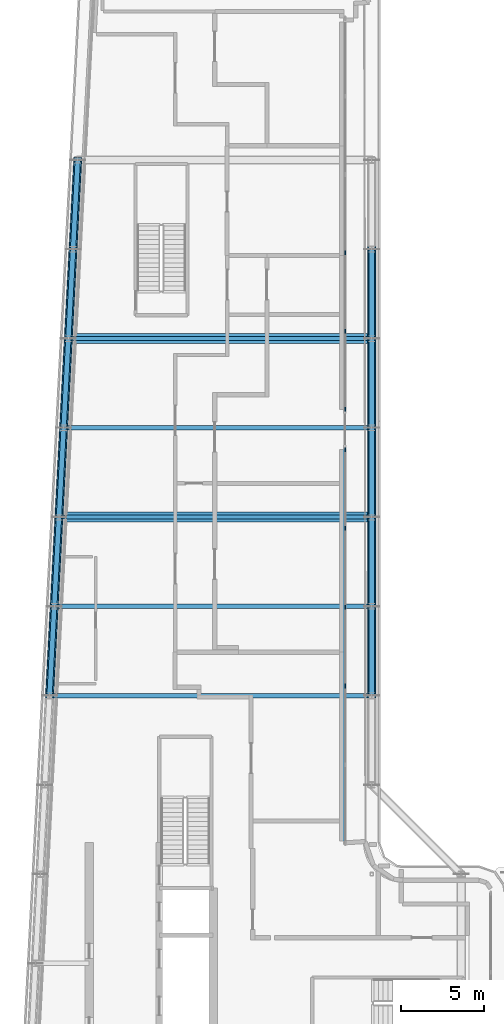
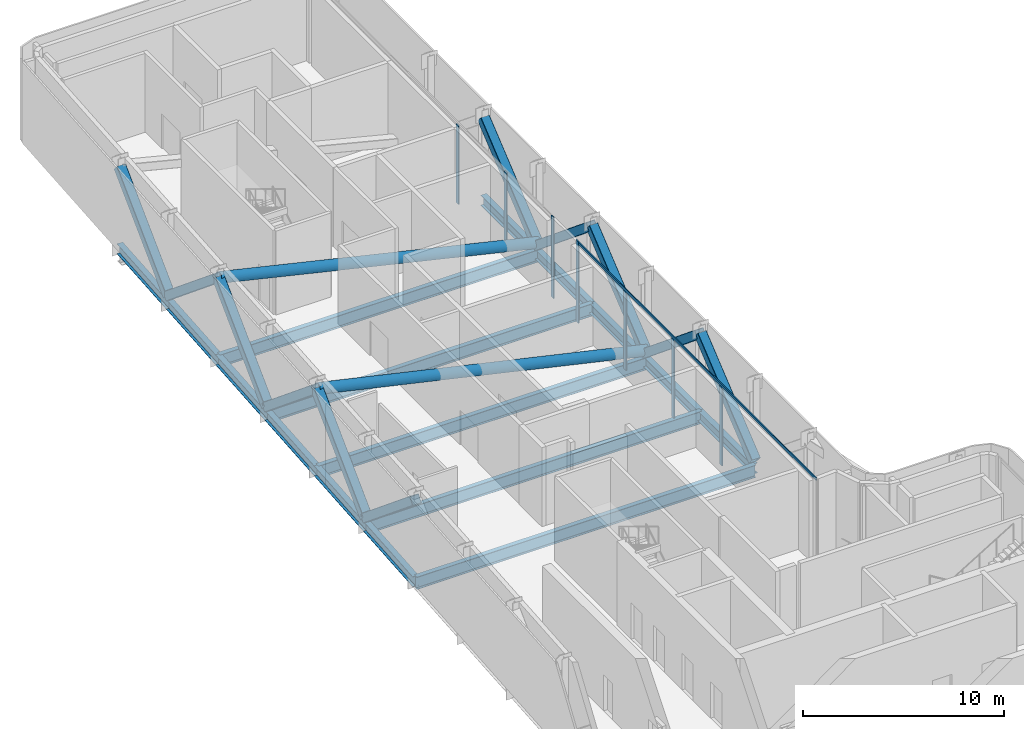
# One storey, part 5 of 18: 21 members, 16 beams, 2 elements without a shape of their own.
"""IFC4 building model written with IfcOpenShell, lengths in metres."""

import ifcopenshell
import ifcopenshell.guid

model = None  # the IFC model being written
_history = None  # IfcOwnerHistory: only IFC2X3 demands one
_inside = {}  # id of a spatial element -> (the spatial element, [elements in it])
_under = {}  # id of a project, library or spatial element -> (it, [spatial elements below it])
_declared = {}  # id of a project -> (the project, [libraries it declares])
_typed = {}  # id of a type object -> (the type object, [elements of that type])
_made_of = {}  # id of a material, layer set ... -> (it, [elements and type objects made of it])


def new_model(schema):
    """Start an empty IFC model of exactly this schema.

    Asked for "IFC4X3", IfcOpenShell would pick the latest addendum, in which some entities
    have other attributes; the version numbers below select the first issue.
    IFC2X3 requires an IfcOwnerHistory on every rooted entity: one is made here for all.
    """
    global model, _history
    if schema == "IFC4X3":
        model = ifcopenshell.file(schema_version=(4, 3, 0, 0))
    else:
        model = ifcopenshell.file(schema=schema)
    _inside.clear()
    _under.clear()
    _declared.clear()
    _typed.clear()
    _made_of.clear()
    _history = None
    if model.schema == "IFC2X3":
        org = make("IfcOrganization", Name="unknown")
        user = make(
            "IfcPersonAndOrganization",
            ThePerson=make("IfcPerson", FamilyName="unknown"),
            TheOrganization=org,
        )
        app = make(
            "IfcApplication",
            ApplicationDeveloper=org,
            Version="unknown",
            ApplicationFullName="unknown",
            ApplicationIdentifier="unknown",
        )
        _history = make(
            "IfcOwnerHistory",
            OwningUser=user,
            OwningApplication=app,
            ChangeAction="ADDED",
            CreationDate=0,
        )
    return model


def make(cls, **values):
    """One entity of the class cls with the attributes given. An attribute that is None is left unset."""
    return model.create_entity(
        cls, **{name: value for name, value in values.items() if value is not None}
    )


def rooted(cls, **values):
    """An entity with a GlobalId (a new one), such as an element, a storey or a relation."""
    return make(cls, GlobalId=ifcopenshell.guid.new(), OwnerHistory=_history, **values)


def si_unit(unit_type, name, prefix=None):
    """IfcSIUnit, for example si_unit("LENGTHUNIT", "METRE", prefix="MILLI")."""
    return make("IfcSIUnit", UnitType=unit_type, Prefix=prefix, Name=name)


def assignment(units):
    """IfcUnitAssignment: the units of a project."""
    return None if units is None else make("IfcUnitAssignment", Units=units)


def point(xyz):
    """IfcCartesianPoint."""
    return None if xyz is None else make("IfcCartesianPoint", Coordinates=xyz)


def direction(xyz):
    """IfcDirection."""
    return None if xyz is None else make("IfcDirection", DirectionRatios=xyz)


def frame(location, z_axis=None, x_axis=None):
    """IfcAxis2Placement3D, a coordinate frame: its origin and axes. An axis left out is left unset."""
    return make(
        "IfcAxis2Placement3D",
        Location=point(location),
        Axis=direction(z_axis),
        RefDirection=direction(x_axis),
    )


def frame_2d(location, x_axis=None):
    """IfcAxis2Placement2D, a coordinate frame in the plane: its origin and x axis."""
    return make(
        "IfcAxis2Placement2D", Location=point(location), RefDirection=direction(x_axis)
    )


def origin():
    """The frame at (0, 0, 0) with its axes left unset."""
    return frame((0.0, 0.0, 0.0))


def origin_2d():
    """The frame at (0, 0) in the plane with its x axis left unset."""
    return frame_2d((0.0, 0.0))


def place(relative_to, where):
    """IfcLocalPlacement: puts the frame where relative to a parent placement (None: the world)."""
    return make(
        "IfcLocalPlacement", PlacementRelTo=relative_to, RelativePlacement=where
    )


def context(
    kind, dimensions, precision=None, world=None, true_north=None, identifier=None
):
    """IfcGeometricRepresentationContext, for example the 3D "Model" context."""
    return make(
        "IfcGeometricRepresentationContext",
        ContextIdentifier=identifier,
        ContextType=kind,
        CoordinateSpaceDimension=dimensions,
        Precision=precision,
        WorldCoordinateSystem=world,
        TrueNorth=true_north,
    )


def subcontext(parent, identifier, kind, view, scale=None):
    """IfcGeometricRepresentationSubContext, for example "Body" below "Model"."""
    return make(
        "IfcGeometricRepresentationSubContext",
        ContextIdentifier=identifier,
        ContextType=kind,
        ParentContext=parent,
        TargetScale=scale,
        TargetView=view,
    )


def project(units=None, contexts=None):
    """IfcProject with its units and contexts."""
    return rooted(
        "IfcProject",
        Name="project",
        RepresentationContexts=contexts,
        UnitsInContext=assignment(units),
    )


def spatial(cls, under=None, at=None, **own):
    """A site, building, storey or space (cls), placed at a placement, below another one or the project."""
    s = rooted(cls, ObjectPlacement=at, **own)
    if under is not None:
        _under.setdefault(under.id(), (under, []))[1].append(s)
    return s


def profile(cls, at=None, kind="AREA", **sizes):
    """A parametric profile (cls). Its sizes go by their IFC names, for example OverallWidth=200.0."""
    return make(cls, ProfileType=kind, Position=at, **sizes)


def rectangle(**sizes):
    """IfcRectangleProfileDef."""
    return profile("IfcRectangleProfileDef", **sizes)


def hollow_rectangle(**sizes):
    """IfcRectangleHollowProfileDef."""
    return profile("IfcRectangleHollowProfileDef", **sizes)


def hollow_circle(**sizes):
    """IfcCircleHollowProfileDef."""
    return profile("IfcCircleHollowProfileDef", **sizes)


def i_section(**sizes):
    """IfcIShapeProfileDef."""
    return profile("IfcIShapeProfileDef", **sizes)


def extrude(swept, where, along, depth):
    """IfcExtrudedAreaSolid: the profile swept, set in the frame where, extruded along a direction by depth."""
    return make(
        "IfcExtrudedAreaSolid",
        SweptArea=swept,
        Position=where,
        ExtrudedDirection=direction(along),
        Depth=depth,
    )


def shape(context_of_items, identifier, shape_type, items):
    """IfcShapeRepresentation: the items that make up one representation, for example the "Body"."""
    return make(
        "IfcShapeRepresentation",
        ContextOfItems=context_of_items,
        RepresentationIdentifier=identifier,
        RepresentationType=shape_type,
        Items=items,
    )


def material(Name=None, Category=None):
    """IfcMaterial."""
    return make("IfcMaterial", Name=Name, Category=Category)


def layer(
    of_material, thickness, ventilated=None, Name=None, Category=None, Priority=None
):
    """IfcMaterialLayer: one layer of a wall or slab, of a material (None: an air gap)."""
    return make(
        "IfcMaterialLayer",
        Material=of_material,
        LayerThickness=thickness,
        IsVentilated=ventilated,
        Name=Name,
        Category=Category,
        Priority=Priority,
    )


def layer_set(layers, Name=None):
    """IfcMaterialLayerSet."""
    return make("IfcMaterialLayerSet", MaterialLayers=layers, LayerSetName=Name)


def material_profile(
    of_material, cross_section, Name=None, Category=None, Priority=None
):
    """IfcMaterialProfile: a cross section and its material."""
    return make(
        "IfcMaterialProfile",
        Name=Name,
        Material=of_material,
        Profile=cross_section,
        Priority=Priority,
        Category=Category,
    )


def profile_set(profiles, Name=None, composite=None):
    """IfcMaterialProfileSet."""
    return make(
        "IfcMaterialProfileSet",
        Name=Name,
        MaterialProfiles=profiles,
        CompositeProfile=composite,
    )


def made_of(thing, what):
    """Note that an element or type object is made of a material, layer set ...; save() writes the relation."""
    if what is not None:
        _made_of.setdefault(what.id(), (what, []))[1].append(thing)
    return thing


def type_object(cls, material=None, **own):
    """A type object (cls), such as IfcWallType, which elements share."""
    return made_of(rooted(cls, **own), material)


def element(
    cls,
    number,
    at=None,
    inside=None,
    cuts=None,
    type_object=None,
    material=None,
    context=None,
    identifier="Body",
    shape_type=None,
    held_by="IfcProductDefinitionShape",
    body=None,
    shapes=None,
    **own,
):
    """One element of the class cls, such as IfcWall. Its Tag is "e" and its number.

    at: its placement. inside: the storey or other place that contains it. cuts: it is an
    opening in that element (IfcRelVoidsElement). A single representation is given by context,
    identifier, shape_type and body (its items); several are given by shapes. held_by: the class
    of the entity that holds the representations. save() writes the other relations.
    """
    e = rooted(cls, Tag="e%d" % number, ObjectPlacement=at, **own)
    if body is not None:
        shapes = [shape(context, identifier, shape_type, body)]
    if shapes is not None:
        e.Representation = make(held_by, Representations=shapes)
    if inside is not None:
        _inside.setdefault(inside.id(), (inside, []))[1].append(e)
    if cuts is not None:
        rooted(
            "IfcRelVoidsElement", RelatingBuildingElement=cuts, RelatedOpeningElement=e
        )
    if type_object is not None:
        _typed.setdefault(type_object.id(), (type_object, []))[1].append(e)
    return made_of(e, material)


def aggregate(whole, parts):
    """IfcRelAggregates: a whole, such as a stair, and the parts it consists of."""
    return rooted("IfcRelAggregates", RelatingObject=whole, RelatedObjects=parts)


def save(model, path):
    """Write the relations noted so far, then the file.

    IfcRelAggregates (storeys below a building ...), IfcRelContainedInSpatialStructure (elements
    in a storey), IfcRelDefinesByType, IfcRelAssociatesMaterial and IfcRelDeclares: one each for
    every whole, place, type object, material and project.
    """
    for whole, parts in _under.values():
        aggregate(whole, parts)
    for where, things in _inside.values():
        rooted(
            "IfcRelContainedInSpatialStructure",
            RelatedElements=things,
            RelatingStructure=where,
        )
    for kind, things in _typed.values():
        rooted("IfcRelDefinesByType", RelatedObjects=things, RelatingType=kind)
    for what, things in _made_of.values():
        rooted("IfcRelAssociatesMaterial", RelatedObjects=things, RelatingMaterial=what)
    for by, libraries in _declared.values():
        rooted("IfcRelDeclares", RelatingContext=by, RelatedDefinitions=libraries)
    model.write(path)


model = new_model("IFC4")

# Units and contexts
model_context = context("Model", 3, precision=1e-05, world=origin(), true_north=direction((0.0, 1.0)))
body_context = subcontext(model_context, "Body", "Model", "MODEL_VIEW")
ifc_project = project(units=[si_unit("LENGTHUNIT", "METRE"), si_unit("AREAUNIT", "SQUARE_METRE"), si_unit("VOLUMEUNIT", "CUBIC_METRE"), si_unit("PLANEANGLEUNIT", "RADIAN"), si_unit("MASSUNIT", "GRAM", prefix="KILO")], contexts=[model_context])

# Site, building, storey
site_placement = place(None, origin())
site = spatial("IfcSite", under=ifc_project, at=site_placement, CompositionType="ELEMENT")
building_placement = place(site_placement, origin())
building = spatial("IfcBuilding", under=site, at=building_placement, Name="Kheshtan School and Residences Tower", CompositionType="ELEMENT")
storey_placement = place(building_placement, frame((0.0, 0.0, 333.199951171875)))
storey = spatial("IfcBuildingStorey", under=building, at=storey_placement, Name="L78", CompositionType="ELEMENT", Elevation=333.199951171875)

# Beams
ifc_material_1 = material(Name="Steel ASTM A992 Grade 50", Category="steel")
ifc_material_profile_1 = material_profile(ifc_material_1, i_section(OverallWidth=0.264892578125, OverallDepth=0.7529296875, WebThickness=0.01318359375, FlangeThickness=0.01708984375, FilletRadius=0.015380859375, at=origin_2d()), Name="W760x147")
ifc_profile_set_1 = profile_set([ifc_material_profile_1], Name="Steel ASTM A992 Grade 50")
beam_type_1 = type_object("IfcBeamType", Name="Beam FB7 W760x147 ASTM A992 Grade 50", PredefinedType="BEAM", material=ifc_profile_set_1)
beam_1_placement = place(storey_placement, frame((47.60009765625, 78.0, -0.5263671875), z_axis=(-1.0, 0.0, 0.0), x_axis=(0.0, -1.0, 0.0)))
element("IfcBeam", 1, at=beam_1_placement, inside=storey, type_object=beam_type_1, Name="Floor beam C089", PredefinedType="BEAM", context=body_context, shape_type="SweptSolid", body=[
    extrude(i_section(OverallWidth=0.264892578125, OverallDepth=0.7529296875, WebThickness=0.01318359375, FlangeThickness=0.01708984375, FilletRadius=0.015380859375, at=origin_2d()), origin(), (0.0, 0.0, 1.0), 18.357177734375),
])
beam_2_placement = place(storey_placement, frame((47.60009765625, 67.199951171875, -0.5263671875), z_axis=(-1.0, 0.0, 0.0), x_axis=(0.0, -1.0, 0.0)))
element("IfcBeam", 2, at=beam_2_placement, inside=storey, type_object=beam_type_1, Name="Floor beam C085", PredefinedType="BEAM", context=body_context, shape_type="SweptSolid", body=[
    extrude(i_section(OverallWidth=0.264892578125, OverallDepth=0.7529296875, WebThickness=0.01318359375, FlangeThickness=0.01708984375, FilletRadius=0.015380859375, at=origin_2d()), origin(), (0.0, 0.0, 1.0), 18.926025390625),
])
beam_3_placement = place(storey_placement, frame((47.60009765625, 56.39990234375, -0.5263671875), z_axis=(-1.0, 0.0, 0.0), x_axis=(0.0, -1.0, 0.0)))
element("IfcBeam", 3, at=beam_3_placement, inside=storey, type_object=beam_type_1, Name="Floor beam C081", PredefinedType="BEAM", context=body_context, shape_type="SweptSolid", body=[
    extrude(i_section(OverallWidth=0.264892578125, OverallDepth=0.7529296875, WebThickness=0.01318359375, FlangeThickness=0.01708984375, FilletRadius=0.015380859375, at=origin_2d()), origin(), (0.0, 0.0, 1.0), 19.494140625),
])
beam_4_placement = place(storey_placement, frame((28.389892578125, 61.800048828125, -0.5263671875), z_axis=(1.0, 0.0, 0.0), x_axis=(0.0, 1.0, 0.0)))
element("IfcBeam", 4, at=beam_4_placement, inside=storey, type_object=beam_type_1, Name="Floor beam C082", PredefinedType="BEAM", context=body_context, shape_type="SweptSolid", body=[
    extrude(i_section(OverallWidth=0.264892578125, OverallDepth=0.7529296875, WebThickness=0.01318359375, FlangeThickness=0.01708984375, FilletRadius=0.015380859375, at=origin_2d()), origin(), (0.0, 0.0, 1.0), 19.210205078125),
])
beam_5_placement = place(storey_placement, frame((28.9580078125, 72.60009765625, -0.5263671875), z_axis=(1.0, 0.0, 0.0), x_axis=(0.0, 1.0, 0.0)))
element("IfcBeam", 5, at=beam_5_placement, inside=storey, type_object=beam_type_1, Name="Floor beam C086", PredefinedType="BEAM", context=body_context, shape_type="SweptSolid", body=[
    extrude(i_section(OverallWidth=0.264892578125, OverallDepth=0.7529296875, WebThickness=0.01318359375, FlangeThickness=0.01708984375, FilletRadius=0.015380859375, at=origin_2d()), origin(), (0.0, 0.0, 1.0), 18.64208984375),
])
ifc_material_profile_2 = material_profile(ifc_material_1, i_section(OverallWidth=0.324951171875, OverallDepth=0.615966796875, WebThickness=0.013916015625, FlangeThickness=0.021484375, FilletRadius=0.0185546875, at=origin_2d()), Name="W610x174")
ifc_profile_set_2 = profile_set([ifc_material_profile_2], Name="Steel ASTM A992 Grade 50")
beam_type_2 = type_object("IfcBeamType", Name="Beam SP5 W610x174 ASTM A992 Grade 50", PredefinedType="BEAM", material=ifc_profile_set_2)
for number, where, z_axis, x_axis, name in (
    (6, (47.60009765625, 83.39990234375, -0.4580078125), (0.0, -1.0, 0.0), (1.0, 0.0, 0.0), "Spandrel beam C091-C089"),
    (7, (47.60009765625, 78.0, -0.4580078125), (0.0, -1.0, 0.0), (1.0, 0.0, 0.0), "Spandrel beam C089-C087"),
):
    element("IfcBeam", number, at=place(storey_placement, frame(where, z_axis=z_axis, x_axis=x_axis)), inside=storey, type_object=beam_type_2, Name=name, PredefinedType="BEAM", context=body_context, shape_type="SweptSolid", body=[
        extrude(i_section(OverallWidth=0.324951171875, OverallDepth=0.615966796875, WebThickness=0.013916015625, FlangeThickness=0.021484375, FilletRadius=0.0185546875, at=origin_2d()), origin(), (0.0, 0.0, 1.0), 5.39990234375),
    ])
beam_6_placement = place(storey_placement, frame((47.60009765625, 72.60009765625, -0.4580078125), z_axis=(0.0, -1.0, 0.0), x_axis=(1.0, 0.0, 0.0)))
element("IfcBeam", 8, at=beam_6_placement, inside=storey, type_object=beam_type_2, Name="Spandrel beam C087-C085", PredefinedType="BEAM", context=body_context, shape_type="SweptSolid", body=[
    extrude(i_section(OverallWidth=0.324951171875, OverallDepth=0.615966796875, WebThickness=0.013916015625, FlangeThickness=0.021484375, FilletRadius=0.0185546875, at=origin_2d()), origin(), (0.0, 0.0, 1.0), 5.400146484375),
])
beam_7_placement = place(storey_placement, frame((47.60009765625, 67.199951171875, -0.4580078125), z_axis=(0.0, -1.0, 0.0), x_axis=(1.0, 0.0, 0.0)))
element("IfcBeam", 9, at=beam_7_placement, inside=storey, type_object=beam_type_2, Name="Spandrel beam C085-C083", PredefinedType="BEAM", context=body_context, shape_type="SweptSolid", body=[
    extrude(i_section(OverallWidth=0.324951171875, OverallDepth=0.615966796875, WebThickness=0.013916015625, FlangeThickness=0.021484375, FilletRadius=0.0185546875, at=origin_2d()), origin(), (0.0, 0.0, 1.0), 5.39990234375),
])
beam_8_placement = place(storey_placement, frame((47.60009765625, 61.800048828125, -0.4580078125), z_axis=(0.0, -1.0, 0.0), x_axis=(1.0, 0.0, 0.0)))
element("IfcBeam", 10, at=beam_8_placement, inside=storey, type_object=beam_type_2, Name="Spandrel beam C083-C081", PredefinedType="BEAM", context=body_context, shape_type="SweptSolid", body=[
    extrude(i_section(OverallWidth=0.324951171875, OverallDepth=0.615966796875, WebThickness=0.013916015625, FlangeThickness=0.021484375, FilletRadius=0.0185546875, at=origin_2d()), origin(), (0.0, 0.0, 1.0), 5.400146484375),
])
beam_9_placement = place(storey_placement, frame((28.10595703125, 56.39990234375, -0.4580078125), z_axis=(0.05250670125, 0.998620571751, 0.0), x_axis=(-0.998620571751, 0.05250670125, 0.0)))
element("IfcBeam", 11, at=beam_9_placement, inside=storey, type_object=beam_type_2, Name="Spandrel beam C080-C082", PredefinedType="BEAM", context=body_context, shape_type="SweptSolid", body=[
    extrude(i_section(OverallWidth=0.324951171875, OverallDepth=0.615966796875, WebThickness=0.013916015625, FlangeThickness=0.021484375, FilletRadius=0.0185546875, at=origin_2d()), origin(), (0.0, 0.0, 1.0), 5.40771484375),
])
beam_10_placement = place(storey_placement, frame((28.389892578125, 61.800048828125, -0.4580078125), z_axis=(0.052554093665, 0.998618078766, 0.0), x_axis=(-0.998618078766, 0.052554093665, 0.0)))
element("IfcBeam", 12, at=beam_10_placement, inside=storey, type_object=beam_type_2, Name="Spandrel beam C082-C084", PredefinedType="BEAM", context=body_context, shape_type="SweptSolid", body=[
    extrude(i_section(OverallWidth=0.324951171875, OverallDepth=0.615966796875, WebThickness=0.013916015625, FlangeThickness=0.021484375, FilletRadius=0.0185546875, at=origin_2d()), origin(), (0.0, 0.0, 1.0), 5.407470703125),
])
beam_11_placement = place(storey_placement, frame((28.674072265625, 67.199951171875, -0.4580078125), z_axis=(0.05250670125, 0.998620571751, 0.0), x_axis=(-0.998620571751, 0.05250670125, 0.0)))
element("IfcBeam", 13, at=beam_11_placement, inside=storey, type_object=beam_type_2, Name="Spandrel beam C084-C086", PredefinedType="BEAM", context=body_context, shape_type="SweptSolid", body=[
    extrude(i_section(OverallWidth=0.324951171875, OverallDepth=0.615966796875, WebThickness=0.013916015625, FlangeThickness=0.021484375, FilletRadius=0.0185546875, at=origin_2d()), origin(), (0.0, 0.0, 1.0), 5.40771484375),
])
for number, where, z_axis, x_axis, name in (
    (14, (28.9580078125, 72.60009765625, -0.4580078125), (0.052689166816, 0.998610961136, 0.0), (-0.998610961136, 0.052689166816, 0.0), "Spandrel beam C086-C088"),
    (15, (29.242919921875, 78.0, -0.4580078125), (0.052554093665, 0.998618078766, 0.0), (-0.998618078766, 0.052554093665, 0.0), "Spandrel beam C088-C090"),
):
    element("IfcBeam", number, at=place(storey_placement, frame(where, z_axis=z_axis, x_axis=x_axis)), inside=storey, type_object=beam_type_2, Name=name, PredefinedType="BEAM", context=body_context, shape_type="SweptSolid", body=[
        extrude(i_section(OverallWidth=0.324951171875, OverallDepth=0.615966796875, WebThickness=0.013916015625, FlangeThickness=0.021484375, FilletRadius=0.0185546875, at=origin_2d()), origin(), (0.0, 0.0, 1.0), 5.407470703125),
    ])
beam_12_placement = place(storey_placement, frame((29.527099609375, 83.39990234375, -0.4580078125), z_axis=(0.05250670125, 0.998620571751, 0.0), x_axis=(-0.998620571751, 0.05250670125, 0.0)))
element("IfcBeam", 16, at=beam_12_placement, inside=storey, type_object=beam_type_2, Name="Spandrel beam C090-C098", PredefinedType="BEAM", context=body_context, shape_type="SweptSolid", body=[
    extrude(i_section(OverallWidth=0.324951171875, OverallDepth=0.615966796875, WebThickness=0.013916015625, FlangeThickness=0.021484375, FilletRadius=0.0185546875, at=origin_2d()), origin(), (0.0, 0.0, 1.0), 5.40771484375),
])

# Curtain wall, members
ifc_material_2 = material(Name="Clear low-e glass in thermally broken aluminium frame", Category="aluminium")
ifc_layer = layer(ifc_material_2, 0.25)
ifc_layer_set = layer_set([ifc_layer], Name="Curtain wall CW-G")
curtain_wall_type = type_object("IfcCurtainWallType", Name="Curtain wall CW-G", PredefinedType="NOTDEFINED", material=ifc_layer_set)
curtain_wall_1_placement = place(storey_placement, origin())
curtain_wall_1 = element("IfcCurtainWall", 17, at=curtain_wall_1_placement, inside=storey, type_object=curtain_wall_type, Name="Curtain wall CWG19", PredefinedType="NOTDEFINED")
ifc_material_3 = material(Name="Thermally broken aluminium, dark bronze anodised", Category="aluminium")
ifc_material_profile_3 = material_profile(ifc_material_3, rectangle(XDim=0.06005859375, YDim=0.25, at=origin_2d()), Name="CW-G mullion 60x250")
ifc_profile_set_3 = profile_set([ifc_material_profile_3], Name="Thermally broken aluminium, dark bronze anodised")
member_type_1 = type_object("IfcMemberType", Name="CW-G mullion 60x250", PredefinedType="MULLION", material=ifc_profile_set_3)
member_1_placement = place(storey_placement, frame((46.0, 83.179931640625, 0.0), z_axis=(0.0, 0.0, 1.0), x_axis=(1.0, 0.0, 0.0)))
member_1 = element("IfcMember", 18, at=member_1_placement, type_object=member_type_1, Name="CWG19 mullion 4", PredefinedType="MULLION", context=body_context, shape_type="SweptSolid", body=[
    extrude(rectangle(XDim=0.06005859375, YDim=0.25, at=origin_2d()), origin(), (0.0, 0.0, 1.0), 4.7900390625),
])
member_2_placement = place(storey_placement, frame((46.0, 78.43994140625, 0.0), z_axis=(0.0, 0.0, 1.0), x_axis=(1.0, 0.0, 0.0)))
member_2 = element("IfcMember", 19, at=member_2_placement, type_object=member_type_1, Name="CWG19 mullion 5", PredefinedType="MULLION", context=body_context, shape_type="SweptSolid", body=[
    extrude(rectangle(XDim=0.06005859375, YDim=0.25, at=origin_2d()), origin(), (0.0, 0.0, 1.0), 4.7900390625),
])
member_3_placement = place(storey_placement, frame((46.0, 73.72998046875, 0.0), z_axis=(0.0, 0.0, 1.0), x_axis=(1.0, 0.0, 0.0)))
member_3 = element("IfcMember", 20, at=member_3_placement, type_object=member_type_1, Name="CWG19 mullion 6", PredefinedType="MULLION", context=body_context, shape_type="SweptSolid", body=[
    extrude(rectangle(XDim=0.06005859375, YDim=0.25, at=origin_2d()), origin(), (0.0, 0.0, 1.0), 4.949951171875),
])
aggregate(curtain_wall_1, [member_1, member_2, member_3])

curtain_wall_2_placement = place(storey_placement, origin())
curtain_wall_2 = element("IfcCurtainWall", 21, at=curtain_wall_2_placement, inside=storey, type_object=curtain_wall_type, Name="Curtain wall CWG19a", PredefinedType="NOTDEFINED")
member_4_placement = place(storey_placement, frame((46.0, 71.27001953125, 0.0), z_axis=(0.0, 0.0, 1.0), x_axis=(1.0, 0.0, 0.0)))
member_4 = element("IfcMember", 22, at=member_4_placement, type_object=member_type_1, Name="CWG19a mullion 1", PredefinedType="MULLION", context=body_context, shape_type="SweptSolid", body=[
    extrude(rectangle(XDim=0.06005859375, YDim=0.25, at=origin_2d()), origin(), (0.0, 0.0, 1.0), 4.949951171875),
])
member_5_placement = place(storey_placement, frame((46.0, 66.52587890625, 0.0), z_axis=(0.0, 0.0, 1.0), x_axis=(1.0, 0.0, 0.0)))
member_5 = element("IfcMember", 23, at=member_5_placement, type_object=member_type_1, Name="CWG19a mullion 2", PredefinedType="MULLION", context=body_context, shape_type="SweptSolid", body=[
    extrude(rectangle(XDim=0.06005859375, YDim=0.25, at=origin_2d()), origin(), (0.0, 0.0, 1.0), 4.7900390625),
])
member_6_placement = place(storey_placement, frame((46.0, 61.751953125, 0.0), z_axis=(0.0, 0.0, 1.0), x_axis=(1.0, 0.0, 0.0)))
member_6 = element("IfcMember", 24, at=member_6_placement, type_object=member_type_1, Name="CWG19a mullion 3", PredefinedType="MULLION", context=body_context, shape_type="SweptSolid", body=[
    extrude(rectangle(XDim=0.06005859375, YDim=0.25, at=origin_2d()), origin(), (0.0, 0.0, 1.0), 4.7900390625),
])
member_7_placement = place(storey_placement, frame((46.0, 56.97802734375, 0.0), z_axis=(0.0, 0.0, 1.0), x_axis=(1.0, 0.0, 0.0)))
member_7 = element("IfcMember", 25, at=member_7_placement, type_object=member_type_1, Name="CWG19a mullion 4", PredefinedType="MULLION", context=body_context, shape_type="SweptSolid", body=[
    extrude(rectangle(XDim=0.06005859375, YDim=0.25, at=origin_2d()), origin(), (0.0, 0.0, 1.0), 4.7900390625),
])
ifc_material_profile_4 = material_profile(ifc_material_3, rectangle(XDim=0.06005859375, YDim=0.159912109375, at=origin_2d()), Name="CW-G transom 60x160")
ifc_profile_set_4 = profile_set([ifc_material_profile_4], Name="Thermally broken aluminium, dark bronze anodised")
member_type_2 = type_object("IfcMemberType", Name="CW-G transom 60x160", PredefinedType="USERDEFINED", material=ifc_profile_set_4)
member_8_placement = place(storey_placement, frame((46.0, 71.239990234375, 4.8701171875), z_axis=(0.0, -1.0, 0.0), x_axis=(1.0, 0.0, 0.0)))
member_8 = element("IfcMember", 26, at=member_8_placement, type_object=member_type_2, Name="CWG19a transom 1", ObjectType="TRANSOM", PredefinedType="USERDEFINED", context=body_context, shape_type="SweptSolid", body=[
    extrude(rectangle(XDim=0.06005859375, YDim=0.159912109375, at=origin_2d()), origin(), (0.0, 0.0, 1.0), 23.75),
])
aggregate(curtain_wall_2, [member_4, member_5, member_6, member_7, member_8])

# Members
ifc_material_4 = material(Name="Steel ASTM A500 Grade C", Category="steel")
ifc_material_profile_5 = material_profile(ifc_material_4, hollow_rectangle(XDim=0.508056640625, YDim=0.508056640625, WallThickness=0.01904296875, InnerFilletRadius=0.01904296875, OuterFilletRadius=0.0380859375, at=origin_2d()), Name="HSS 508x508x19")
ifc_profile_set_5 = profile_set([ifc_material_profile_5], Name="Steel ASTM A500 Grade C")
member_type_3 = type_object("IfcMemberType", Name="Member BT2 HSS 508x508x19 ASTM A500 Grade C", PredefinedType="BRACE", material=ifc_profile_set_5)
for number, where, z_axis, x_axis, name in (
    (27, (47.60009765625, 78.0, 0.050048828125), (0.0, 0.772201261501, 0.635378006966), (-1.0, 0.0, 0.0), "Belt truss diagonal C091-C089"),
    (28, (47.60009765625, 78.0, 0.050048828125), (0.0, -0.772201261501, 0.635378006966), (1.0, 0.0, 0.0), "Belt truss diagonal C089-C087"),
):
    element("IfcMember", number, at=place(storey_placement, frame(where, z_axis=z_axis, x_axis=x_axis)), inside=storey, type_object=member_type_3, Name=name, PredefinedType="BRACE", context=body_context, shape_type="SweptSolid", body=[
        extrude(hollow_rectangle(XDim=0.508056640625, YDim=0.508056640625, WallThickness=0.01904296875, InnerFilletRadius=0.01904296875, OuterFilletRadius=0.0380859375, at=origin_2d()), origin(), (0.0, 0.0, 1.0), 6.992919921875),
    ])
member_9_placement = place(storey_placement, frame((47.60009765625, 67.199951171875, 0.050048828125), z_axis=(0.0, 0.77221535541, 0.635360877666), x_axis=(-1.0, 0.0, 0.0)))
element("IfcMember", 29, at=member_9_placement, inside=storey, type_object=member_type_3, Name="Belt truss diagonal C087-C085", PredefinedType="BRACE", context=body_context, shape_type="SweptSolid", body=[
    extrude(hollow_rectangle(XDim=0.508056640625, YDim=0.508056640625, WallThickness=0.01904296875, InnerFilletRadius=0.01904296875, OuterFilletRadius=0.0380859375, at=origin_2d()), origin(), (0.0, 0.0, 1.0), 6.9931640625),
])
member_10_placement = place(storey_placement, frame((47.60009765625, 67.199951171875, 0.050048828125), z_axis=(0.0, -0.772201261501, 0.635378006966), x_axis=(1.0, 0.0, 0.0)))
element("IfcMember", 30, at=member_10_placement, inside=storey, type_object=member_type_3, Name="Belt truss diagonal C085-C083", PredefinedType="BRACE", context=body_context, shape_type="SweptSolid", body=[
    extrude(hollow_rectangle(XDim=0.508056640625, YDim=0.508056640625, WallThickness=0.01904296875, InnerFilletRadius=0.01904296875, OuterFilletRadius=0.0380859375, at=origin_2d()), origin(), (0.0, 0.0, 1.0), 6.992919921875),
])
member_11_placement = place(storey_placement, frame((47.60009765625, 56.39990234375, 0.050048828125), z_axis=(0.0, 0.77221535541, 0.635360877666), x_axis=(-1.0, 0.0, 0.0)))
element("IfcMember", 31, at=member_11_placement, inside=storey, type_object=member_type_3, Name="Belt truss diagonal C083-C081", PredefinedType="BRACE", context=body_context, shape_type="SweptSolid", body=[
    extrude(hollow_rectangle(XDim=0.508056640625, YDim=0.508056640625, WallThickness=0.01904296875, InnerFilletRadius=0.01904296875, OuterFilletRadius=0.0380859375, at=origin_2d()), origin(), (0.0, 0.0, 1.0), 6.9931640625),
])
member_12_placement = place(storey_placement, frame((28.389892578125, 61.800048828125, 0.050048828125), z_axis=(-0.040569062648, -0.771579618846, 0.634837808372), x_axis=(0.998620571751, -0.05250670125, 0.0)))
element("IfcMember", 32, at=member_12_placement, inside=storey, type_object=member_type_3, Name="Belt truss diagonal C080-C082", PredefinedType="BRACE", context=body_context, shape_type="SweptSolid", body=[
    extrude(hollow_rectangle(XDim=0.508056640625, YDim=0.508056640625, WallThickness=0.01904296875, InnerFilletRadius=0.01904296875, OuterFilletRadius=0.0380859375, at=origin_2d()), origin(), (0.0, 0.0, 1.0), 6.998779296875),
])
member_13_placement = place(storey_placement, frame((28.389892578125, 61.800048828125, 0.050048828125), z_axis=(0.040604981151, 0.771564409877, 0.634853996535), x_axis=(-0.998618078766, 0.052554093665, 0.0)))
element("IfcMember", 33, at=member_13_placement, inside=storey, type_object=member_type_3, Name="Belt truss diagonal C082-C084", PredefinedType="BRACE", context=body_context, shape_type="SweptSolid", body=[
    extrude(hollow_rectangle(XDim=0.508056640625, YDim=0.508056640625, WallThickness=0.01904296875, InnerFilletRadius=0.01904296875, OuterFilletRadius=0.0380859375, at=origin_2d()), origin(), (0.0, 0.0, 1.0), 6.99853515625),
])
for number, where, z_axis, x_axis, name in (
    (34, (28.9580078125, 72.60009765625, 0.050048828125), (-0.040569062648, -0.771579618846, 0.634837808372), (0.998620571751, -0.05250670125, 0.0), "Belt truss diagonal C084-C086"),
    (35, (28.9580078125, 72.60009765625, 0.050048828125), (0.040709459951, 0.771561126993, 0.634851295331), (-0.998610961136, 0.052689166816, 0.0), "Belt truss diagonal C086-C088"),
):
    element("IfcMember", number, at=place(storey_placement, frame(where, z_axis=z_axis, x_axis=x_axis)), inside=storey, type_object=member_type_3, Name=name, PredefinedType="BRACE", context=body_context, shape_type="SweptSolid", body=[
        extrude(hollow_rectangle(XDim=0.508056640625, YDim=0.508056640625, WallThickness=0.01904296875, InnerFilletRadius=0.01904296875, OuterFilletRadius=0.0380859375, at=origin_2d()), origin(), (0.0, 0.0, 1.0), 6.998779296875),
    ])
member_14_placement = place(storey_placement, frame((29.527099609375, 83.39990234375, 0.050048828125), z_axis=(-0.040604981151, -0.771564409877, 0.634853996535), x_axis=(0.998618078766, -0.052554093665, 0.0)))
element("IfcMember", 36, at=member_14_placement, inside=storey, type_object=member_type_3, Name="Belt truss diagonal C088-C090", PredefinedType="BRACE", context=body_context, shape_type="SweptSolid", body=[
    extrude(hollow_rectangle(XDim=0.508056640625, YDim=0.508056640625, WallThickness=0.01904296875, InnerFilletRadius=0.01904296875, OuterFilletRadius=0.0380859375, at=origin_2d()), origin(), (0.0, 0.0, 1.0), 6.99853515625),
])
member_15_placement = place(storey_placement, frame((29.527099609375, 83.39990234375, 0.050048828125), z_axis=(0.040569062648, 0.771579618846, 0.634837808372), x_axis=(-0.998620571751, 0.05250670125, 0.0)))
element("IfcMember", 37, at=member_15_placement, inside=storey, type_object=member_type_3, Name="Belt truss diagonal C090-C098", PredefinedType="BRACE", context=body_context, shape_type="SweptSolid", body=[
    extrude(hollow_rectangle(XDim=0.508056640625, YDim=0.508056640625, WallThickness=0.01904296875, InnerFilletRadius=0.01904296875, OuterFilletRadius=0.0380859375, at=origin_2d()), origin(), (0.0, 0.0, 1.0), 6.998779296875),
])
ifc_material_profile_6 = material_profile(ifc_material_4, hollow_circle(Radius=0.3046875, WallThickness=0.01904296875, at=origin_2d()), Name="HSS 610x19")
ifc_profile_set_6 = profile_set([ifc_material_profile_6], Name="Steel ASTM A500 Grade C")
member_type_4 = type_object("IfcMemberType", Name="Member OR1 HSS 610x19 ASTM A500 Grade C", PredefinedType="BRACE", material=ifc_profile_set_6)
member_16_placement = place(storey_placement, frame((47.60009765625, 78.0, 0.199951171875), z_axis=(-0.973725215223, 0.0, 0.227726162835), x_axis=(0.0, -1.0, 0.0)))
element("IfcMember", 38, at=member_16_placement, inside=storey, type_object=member_type_4, Name="Outrigger arm 1", PredefinedType="BRACE", context=body_context, shape_type="SweptSolid", body=[
    extrude(hollow_circle(Radius=0.3046875, WallThickness=0.01904296875, at=origin_2d()), origin(), (0.0, 0.0, 1.0), 18.8525390625),
])
member_17_placement = place(storey_placement, frame((47.60009765625, 67.199951171875, 0.199951171875), z_axis=(-0.975223602868, 0.0, 0.2212214375), x_axis=(0.0, -1.0, 0.0)))
element("IfcMember", 39, at=member_17_placement, inside=storey, type_object=member_type_4, Name="Outrigger arm 3", PredefinedType="BRACE", context=body_context, shape_type="SweptSolid", body=[
    extrude(hollow_circle(Radius=0.3046875, WallThickness=0.01904296875, at=origin_2d()), origin(), (0.0, 0.0, 1.0), 19.40673828125),
])

save(model, "model.ifc")
